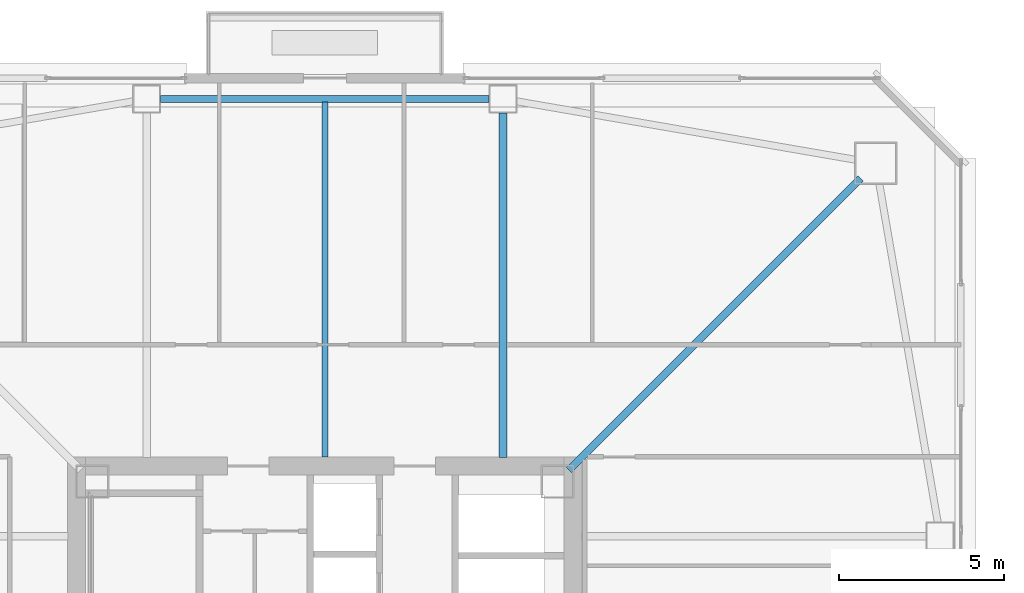
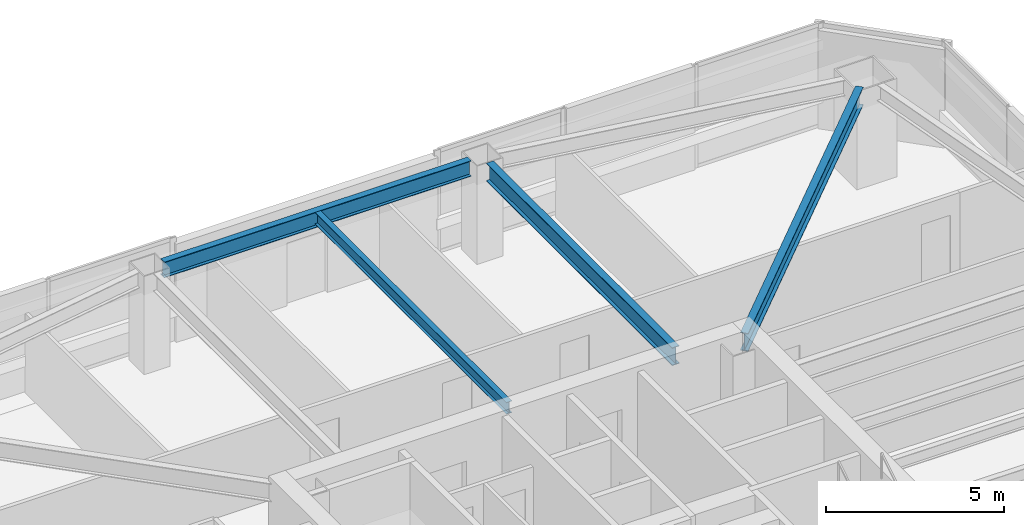
# One storey, part 16 of 46: 4 beams.
"""IFC4 building model written with IfcOpenShell, lengths in metres."""

from ifc_helpers import new_model, si_unit, direction, frame, origin, origin_2d, place, context, subcontext, project, spatial, i_section, extrude, material, material_profile, profile_set, type_object, element, save


model = new_model("IFC4")

# Units and contexts
model_context = context("Model", 3, precision=1e-05, world=origin(), true_north=direction((0.0, 1.0)))
body_context = subcontext(model_context, "Body", "Model", "MODEL_VIEW")
ifc_project = project(units=[si_unit("LENGTHUNIT", "METRE"), si_unit("AREAUNIT", "SQUARE_METRE"), si_unit("VOLUMEUNIT", "CUBIC_METRE"), si_unit("PLANEANGLEUNIT", "RADIAN"), si_unit("MASSUNIT", "GRAM", prefix="KILO")], contexts=[model_context])

# Site, building, storey
site_placement = place(None, origin())
site = spatial("IfcSite", under=ifc_project, at=site_placement, CompositionType="ELEMENT")
building_placement = place(site_placement, origin())
building = spatial("IfcBuilding", under=site, at=building_placement, Name="Tashvorn Skyway Center", CompositionType="ELEMENT")
storey_placement = place(building_placement, frame((0.0, 0.0, 139.25)))
storey = spatial("IfcBuildingStorey", under=building, at=storey_placement, Name="L37", CompositionType="ELEMENT", Elevation=139.25)

# Beams
ifc_material = material(Name="Steel ASTM A992 Grade 50", Category="steel")
ifc_material_profile_1 = material_profile(ifc_material, i_section(OverallWidth=0.22998046875, OverallDepth=0.616943359375, WebThickness=0.01318359375, FlangeThickness=0.022216796875, at=origin_2d()), Name="W24X94")
ifc_profile_set_1 = profile_set([ifc_material_profile_1], Name="Steel ASTM A992 Grade 50")
beam_type_1 = type_object("IfcBeamType", Name="BM-BEAM-W24X94", PredefinedType="BEAM", material=ifc_profile_set_1)
beam_1_placement = place(storey_placement, frame((58.243896484375, 48.243896484375, 3.0615234375), z_axis=(-0.707106781187, -0.707106781187, 0.0), x_axis=(0.707106781187, -0.707106781187, 0.0)))
element("IfcBeam", 1, at=beam_1_placement, inside=storey, type_object=beam_type_1, Name="Tower 1 L37 Primary Floor Girder MC-NE", PredefinedType="BEAM", context=body_context, shape_type="SweptSolid", body=[
    extrude(i_section(OverallWidth=0.22998046875, OverallDepth=0.616943359375, WebThickness=0.01318359375, FlangeThickness=0.022216796875, at=origin_2d()), origin(), (0.0, 0.0, 1.0), 12.50732421875),
])
beam_2_placement = place(storey_placement, frame((47.39990234375, 50.22998046875, 3.0615234375), z_axis=(0.0, -1.0, 0.0), x_axis=(1.0, 0.0, 0.0)))
element("IfcBeam", 2, at=beam_2_placement, inside=storey, type_object=beam_type_1, Name="Tower 1 L37 Primary Floor Girder FC-N1", PredefinedType="BEAM", context=body_context, shape_type="SweptSolid", body=[
    extrude(i_section(OverallWidth=0.22998046875, OverallDepth=0.616943359375, WebThickness=0.01318359375, FlangeThickness=0.022216796875, at=origin_2d()), origin(), (0.0, 0.0, 1.0), 10.449951171875),
])
ifc_material_profile_2 = material_profile(ifc_material, i_section(OverallWidth=0.177978515625, OverallDepth=0.406005859375, WebThickness=0.0078125, FlangeThickness=0.0126953125, at=origin_2d()), Name="W16X40")
ifc_profile_set_2 = profile_set([ifc_material_profile_2], Name="Steel ASTM A992 Grade 50")
beam_type_2 = type_object("IfcBeamType", Name="BM-JOIST-W16X40", PredefinedType="JOIST", material=ifc_profile_set_2)
beam_3_placement = place(storey_placement, frame((42.0, 39.7900390625, 3.1669921875), z_axis=(0.0, 1.0, 0.0), x_axis=(-1.0, 0.0, 0.0)))
element("IfcBeam", 3, at=beam_3_placement, inside=storey, type_object=beam_type_2, Name="Tower 1 L37 Secondary Composite Joist JN", PredefinedType="JOIST", context=body_context, shape_type="SweptSolid", body=[
    extrude(i_section(OverallWidth=0.177978515625, OverallDepth=0.406005859375, WebThickness=0.0078125, FlangeThickness=0.0126953125, at=origin_2d()), origin(), (0.0, 0.0, 1.0), 10.762451171875),
])
ifc_material_profile_3 = material_profile(ifc_material, i_section(OverallWidth=0.2109375, OverallDepth=0.5390625, WebThickness=0.01171875, FlangeThickness=0.018798828125, at=origin_2d()), Name="W21X73")
ifc_profile_set_3 = profile_set([ifc_material_profile_3], Name="Steel ASTM A992 Grade 50")
beam_type_3 = type_object("IfcBeamType", Name="BM-SPANDREL-W21X73", PredefinedType="SPANDREL", material=ifc_profile_set_3)
beam_4_placement = place(storey_placement, frame((46.97998046875, 50.64990234375, 3.1005859375), z_axis=(-1.0, 0.0, 0.0), x_axis=(0.0, -1.0, 0.0)))
element("IfcBeam", 4, at=beam_4_placement, inside=storey, type_object=beam_type_3, Name="Tower 1 L37 Spandrel Beam 08", PredefinedType="SPANDREL", context=body_context, shape_type="SweptSolid", body=[
    extrude(i_section(OverallWidth=0.2109375, OverallDepth=0.5390625, WebThickness=0.01171875, FlangeThickness=0.018798828125, at=origin_2d()), origin(), (0.0, 0.0, 1.0), 9.9599609375),
])

save(model, "model.ifc")
